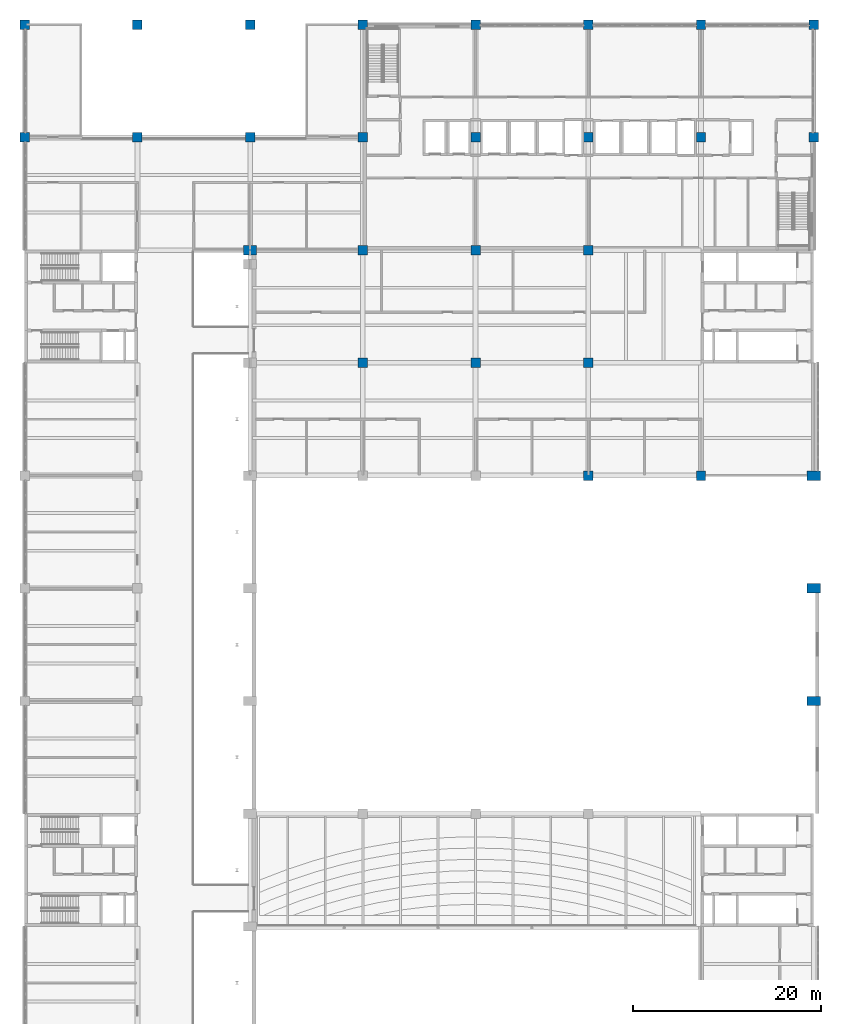
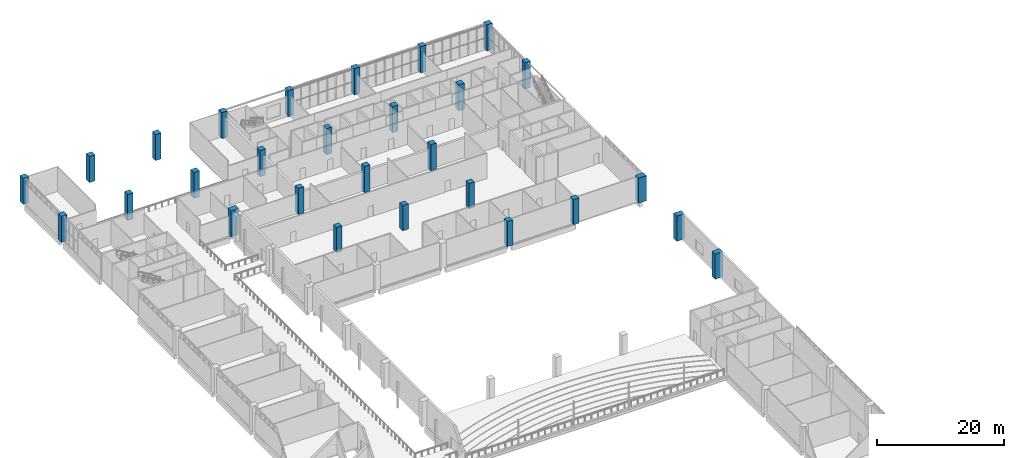
# One storey, part 11 of 69: 28 columns.
"""IFC4 building model written with IfcOpenShell, lengths in metres."""

from ifc_helpers import new_model, si_unit, direction, frame, origin, origin_2d, place, context, subcontext, project, spatial, rectangle, extrude, material, material_profile, profile_set, type_object, element, save


model = new_model("IFC4")

# Units and contexts
model_context = context("Model", 3, precision=1e-05, world=origin(), true_north=direction((0.0, 1.0)))
body_context = subcontext(model_context, "Body", "Model", "MODEL_VIEW")
ifc_project = project(units=[si_unit("LENGTHUNIT", "METRE"), si_unit("AREAUNIT", "SQUARE_METRE"), si_unit("VOLUMEUNIT", "CUBIC_METRE"), si_unit("PLANEANGLEUNIT", "RADIAN"), si_unit("MASSUNIT", "GRAM", prefix="KILO")], contexts=[model_context])

# Site, building, storey
site_placement = place(None, origin())
site = spatial("IfcSite", under=ifc_project, at=site_placement, CompositionType="ELEMENT")
building_placement = place(site_placement, origin())
building = spatial("IfcBuilding", under=site, at=building_placement, Name="Lilac Gate Convention Centre", CompositionType="ELEMENT")
storey_placement = place(building_placement, frame((0.0, 0.0, 12.0)))
storey = spatial("IfcBuildingStorey", under=building, at=storey_placement, Name="L02", CompositionType="ELEMENT", Elevation=12.0)

# Columns
ifc_material_1 = material(Name="Concrete C40", Category="concrete")
ifc_material_profile_1 = material_profile(ifc_material_1, rectangle(XDim=1.0, YDim=1.0, at=origin_2d()), Name="RC 1000x1000")
ifc_profile_set_1 = profile_set([ifc_material_profile_1], Name="Concrete C40")
column_type_1 = type_object("IfcColumnType", Name="RC column 1000x1000 C40", PredefinedType="COLUMN", material=ifc_profile_set_1)
for number, where, z_axis, x_axis, name in (
    (1, (6.0, 234.0, 0.0), (0.0, 0.0, 1.0), (1.0, 0.0, 0.0), "C1 L02 at 1/T"),
    (2, (6.0, 246.0, 0.0), (0.0, 0.0, 1.0), (1.0, 0.0, 0.0), "C1 L02 at 1/U"),
    (3, (18.0, 234.0, 0.0), (0.0, 0.0, 1.0), (1.0, 0.0, 0.0), "C1 L02 at 2/T"),
    (4, (18.0, 246.0, 0.0), (0.0, 0.0, 1.0), (1.0, 0.0, 0.0), "C1 L02 at 2/U"),
    (5, (30.0, 234.0, 0.0), (0.0, 0.0, 1.0), (1.0, 0.0, 0.0), "C1 L02 at 3/T"),
    (6, (30.0, 246.0, 0.0), (0.0, 0.0, 1.0), (1.0, 0.0, 0.0), "C1 L02 at 3/U"),
):
    element("IfcColumn", number, at=place(storey_placement, frame(where, z_axis=z_axis, x_axis=x_axis)), inside=storey, type_object=column_type_1, Name=name, PredefinedType="COLUMN", context=body_context, shape_type="SweptSolid", body=[
        extrude(rectangle(XDim=1.0, YDim=1.0, at=origin_2d()), origin(), (0.0, 0.0, 1.0), 5.0),
    ])
for number, where, z_axis, x_axis, name in (
    (7, (42.0, 210.0, 0.0), (0.0, 0.0, 1.0), (1.0, 0.0, 0.0), "C1 L02 at 4/R"),
    (8, (54.0, 210.0, 0.0), (0.0, 0.0, 1.0), (1.0, 0.0, 0.0), "C1 L02 at 5/R"),
    (9, (66.0, 198.0, 0.0), (0.0, 0.0, 1.0), (1.0, 0.0, 0.0), "C1 L02 at 6/Q"),
    (10, (66.0, 210.0, 0.0), (0.0, 0.0, 1.0), (1.0, 0.0, 0.0), "C1 L02 at 6/R"),
    (11, (78.0, 198.0, 0.0), (0.0, 0.0, 1.0), (1.0, 0.0, 0.0), "C1 L02 at 7/Q"),
):
    element("IfcColumn", number, at=place(storey_placement, frame(where, z_axis=z_axis, x_axis=x_axis)), inside=storey, type_object=column_type_1, Name=name, PredefinedType="COLUMN", context=body_context, shape_type="SweptSolid", body=[
        extrude(rectangle(XDim=1.0, YDim=1.0, at=origin_2d()), origin(), (0.0, 0.0, 1.0), 4.824951171875),
    ])
ifc_material_profile_2 = material_profile(ifc_material_1, rectangle(XDim=1.39990234375, YDim=1.0, at=origin_2d()), Name="RC 1400x1000")
ifc_profile_set_2 = profile_set([ifc_material_profile_2], Name="Concrete C40")
column_type_2 = type_object("IfcColumnType", Name="RC hall column 1400x1000 C40", PredefinedType="COLUMN", material=ifc_profile_set_2)
column_placement = place(storey_placement, frame((30.0, 222.0, 0.0), z_axis=(0.0, 0.0, 1.0), x_axis=(1.0, 0.0, 0.0)))
element("IfcColumn", 12, at=column_placement, inside=storey, type_object=column_type_2, Name="C2 L02 at 3/S", PredefinedType="COLUMN", context=body_context, shape_type="SweptSolid", body=[
    extrude(rectangle(XDim=1.39990234375, YDim=1.0, at=origin_2d()), origin(), (0.0, 0.0, 1.0), 5.0),
])
for number, where, z_axis, x_axis, name in (
    (13, (90.0, 174.0, 0.0), (0.0, 0.0, 1.0), (1.0, 0.0, 0.0), "C2 L02 at 8/N"),
    (14, (90.0, 186.0, 0.0), (0.0, 0.0, 1.0), (1.0, 0.0, 0.0), "C2 L02 at 8/P"),
    (15, (90.0, 198.0, 0.0), (0.0, 0.0, 1.0), (1.0, 0.0, 0.0), "C2 L02 at 8/Q"),
):
    element("IfcColumn", number, at=place(storey_placement, frame(where, z_axis=z_axis, x_axis=x_axis)), inside=storey, type_object=column_type_2, Name=name, PredefinedType="COLUMN", context=body_context, shape_type="SweptSolid", body=[
        extrude(rectangle(XDim=1.39990234375, YDim=1.0, at=origin_2d()), origin(), (0.0, 0.0, 1.0), 4.824951171875),
    ])
ifc_material_2 = material(Name="Concrete C50", Category="concrete")
ifc_material_profile_3 = material_profile(ifc_material_2, rectangle(XDim=1.0, YDim=1.0, at=origin_2d()), Name="RC 1000x1000")
ifc_profile_set_3 = profile_set([ifc_material_profile_3], Name="Concrete C50")
column_type_3 = type_object("IfcColumnType", Name="RC tower column 1000x1000 C50", PredefinedType="COLUMN", material=ifc_profile_set_3)
for number, where, z_axis, x_axis, name in (
    (16, (42.0, 222.0, 0.0), (0.0, 0.0, 1.0), (1.0, 0.0, 0.0), "C3 L02 at 4/S"),
    (17, (42.0, 234.0, 0.0), (0.0, 0.0, 1.0), (1.0, 0.0, 0.0), "C3 L02 at 4/T"),
    (18, (42.0, 246.0, 0.0), (0.0, 0.0, 1.0), (1.0, 0.0, 0.0), "C3 L02 at 4/U"),
    (19, (54.0, 222.0, 0.0), (0.0, 0.0, 1.0), (1.0, 0.0, 0.0), "C3 L02 at 5/S"),
    (20, (54.0, 234.0, 0.0), (0.0, 0.0, 1.0), (1.0, 0.0, 0.0), "C3 L02 at 5/T"),
    (21, (54.0, 246.0, 0.0), (0.0, 0.0, 1.0), (1.0, 0.0, 0.0), "C3 L02 at 5/U"),
    (22, (66.0, 222.0, 0.0), (0.0, 0.0, 1.0), (1.0, 0.0, 0.0), "C3 L02 at 6/S"),
    (23, (66.0, 234.0, 0.0), (0.0, 0.0, 1.0), (1.0, 0.0, 0.0), "C3 L02 at 6/T"),
    (24, (66.0, 246.0, 0.0), (0.0, 0.0, 1.0), (1.0, 0.0, 0.0), "C3 L02 at 6/U"),
    (25, (78.0, 234.0, 0.0), (0.0, 0.0, 1.0), (1.0, 0.0, 0.0), "C3 L02 at 7/T"),
    (26, (78.0, 246.0, 0.0), (0.0, 0.0, 1.0), (1.0, 0.0, 0.0), "C3 L02 at 7/U"),
    (27, (90.0, 234.0, 0.0), (0.0, 0.0, 1.0), (1.0, 0.0, 0.0), "C3 L02 at 8/T"),
    (28, (90.0, 246.0, 0.0), (0.0, 0.0, 1.0), (1.0, 0.0, 0.0), "C3 L02 at 8/U"),
):
    element("IfcColumn", number, at=place(storey_placement, frame(where, z_axis=z_axis, x_axis=x_axis)), inside=storey, type_object=column_type_3, Name=name, PredefinedType="COLUMN", context=body_context, shape_type="SweptSolid", body=[
        extrude(rectangle(XDim=1.0, YDim=1.0, at=origin_2d()), origin(), (0.0, 0.0, 1.0), 5.0),
    ])

save(model, "model.ifc")
